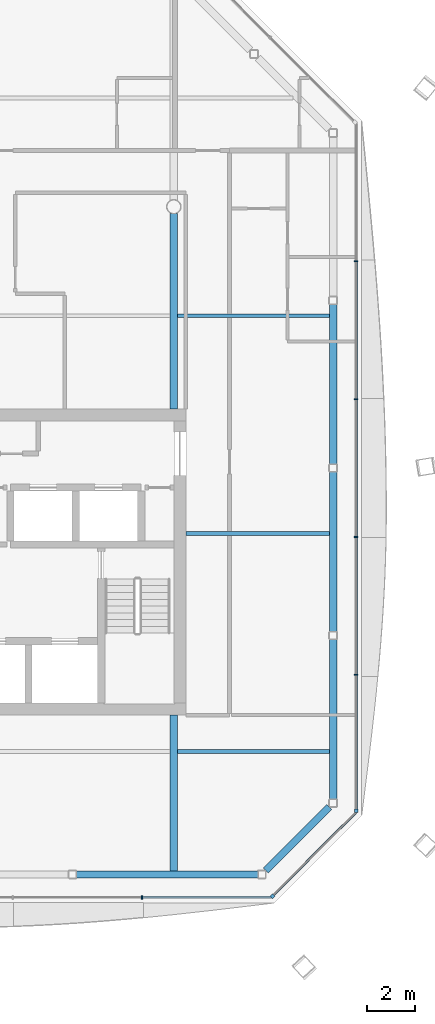
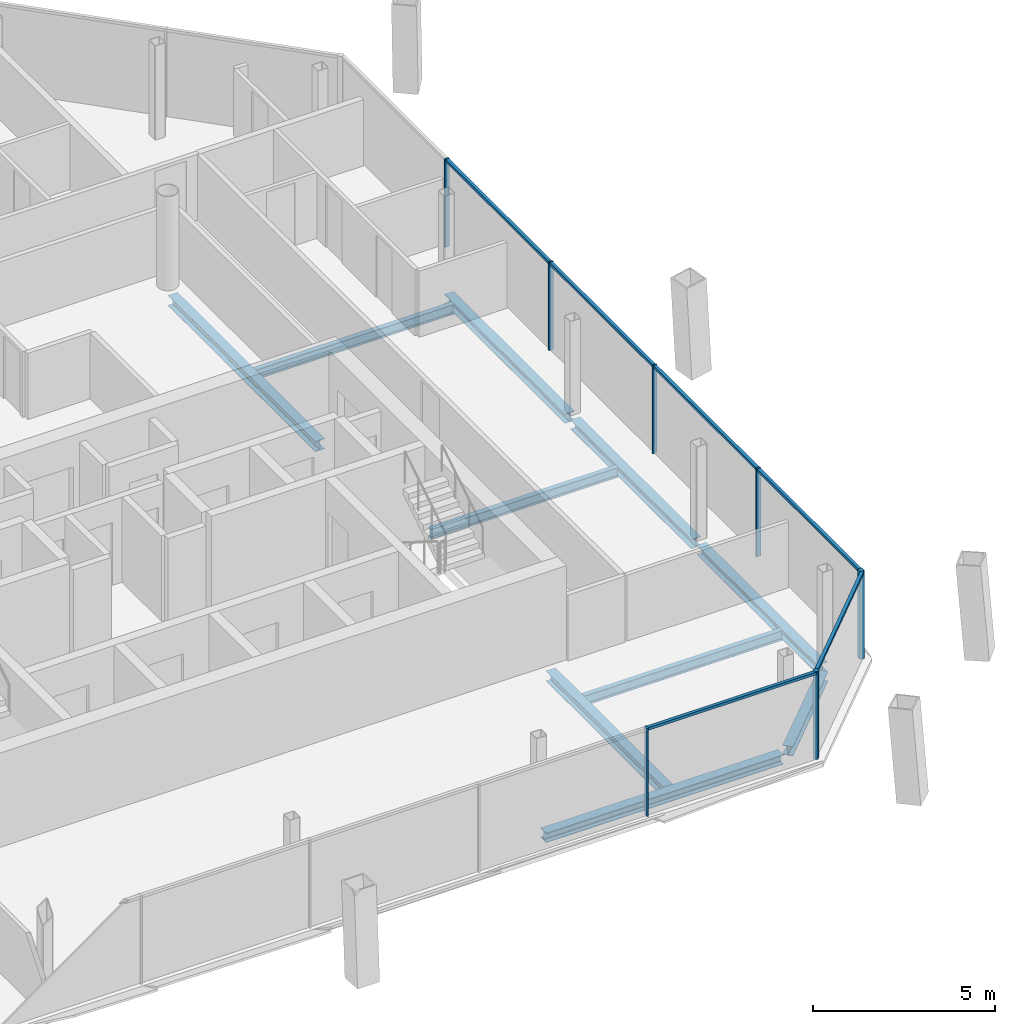
# One storey, part 8 of 19: 13 members, 10 beams, 3 elements without a shape of their own.
"""IFC4 building model written with IfcOpenShell, lengths in metres."""

from ifc_helpers import new_model, si_unit, direction, frame, origin, origin_2d, place, context, subcontext, project, spatial, rectangle, i_section, extrude, material, material_profile, profile_set, type_object, element, aggregate, save


model = new_model("IFC4")

# Units and contexts
model_context = context("Model", 3, precision=1e-05, world=origin(), true_north=direction((0.0, 1.0)))
body_context = subcontext(model_context, "Body", "Model", "MODEL_VIEW")
ifc_project = project(units=[si_unit("LENGTHUNIT", "METRE"), si_unit("AREAUNIT", "SQUARE_METRE"), si_unit("VOLUMEUNIT", "CUBIC_METRE"), si_unit("PLANEANGLEUNIT", "RADIAN"), si_unit("MASSUNIT", "GRAM", prefix="KILO")], contexts=[model_context])

# Site, building, storey
site_placement = place(None, origin())
site = spatial("IfcSite", under=ifc_project, at=site_placement, CompositionType="ELEMENT")
building_placement = place(site_placement, origin())
building = spatial("IfcBuilding", under=site, at=building_placement, Name="Tskaro Facet Tower", CompositionType="ELEMENT")
storey_placement = place(building_placement, frame((0.0, 0.0, 203.699951171875)))
storey = spatial("IfcBuildingStorey", under=building, at=storey_placement, Name="L52", CompositionType="ELEMENT", Elevation=203.699951171875)

# Curtain wall, member
ifc_material_1 = material(Name="Bronze anodised aluminium 6063-T6", Category="aluminium")
curtain_wall_type = type_object("IfcCurtainWallType", Name="Bronze residence curtain wall (FW3)", PredefinedType="NOTDEFINED", material=ifc_material_1)
curtain_wall_1_placement = place(storey_placement, origin())
curtain_wall_1 = element("IfcCurtainWall", 1, at=curtain_wall_1_placement, inside=storey, type_object=curtain_wall_type, Name="FW3 south-east facet L52", PredefinedType="NOTDEFINED")
ifc_material_profile_1 = material_profile(ifc_material_1, rectangle(XDim=0.139892578125, YDim=0.139892578125, at=origin_2d()), Name="Corner post 140x140")
ifc_profile_set_1 = profile_set([ifc_material_profile_1], Name="Bronze anodised aluminium 6063-T6")
member_type_1 = type_object("IfcMemberType", Name="FW3 bronze corner post 140x140", PredefinedType="MULLION", material=ifc_profile_set_1)
member_1_placement = place(storey_placement, frame((13.075439453125, -19.4833984375, 0.0), z_axis=(0.0, 0.0, 1.0), x_axis=(0.707106781187, 0.707106781187, 0.0)))
member_1 = element("IfcMember", 2, at=member_1_placement, type_object=member_type_1, Name="FW3 south-east corner post", PredefinedType="MULLION", context=body_context, shape_type="SweptSolid", body=[
    extrude(rectangle(XDim=0.139892578125, YDim=0.139892578125, at=origin_2d()), origin(), (0.0, 0.0, 1.0), 2.949951171875),
])

curtain_wall_2_placement = place(storey_placement, origin())
curtain_wall_2 = element("IfcCurtainWall", 3, at=curtain_wall_2_placement, inside=storey, type_object=curtain_wall_type, Name="FW3 east facet L52", PredefinedType="NOTDEFINED")
member_2_placement = place(storey_placement, frame((16.532958984375, -15.9560546875, 0.0), z_axis=(0.0, 0.0, 1.0), x_axis=(0.0, 1.0, 0.0)))
member_2 = element("IfcMember", 4, at=member_2_placement, type_object=member_type_1, Name="FW3 east corner post", PredefinedType="MULLION", context=body_context, shape_type="SweptSolid", body=[
    extrude(rectangle(XDim=0.139892578125, YDim=0.139892578125, at=origin_2d()), origin(), (0.0, 0.0, 1.0), 2.949951171875),
])

curtain_wall_3_placement = place(storey_placement, origin())
curtain_wall_3 = element("IfcCurtainWall", 5, at=curtain_wall_3_placement, inside=storey, type_object=curtain_wall_type, Name="FW3 south facet L52", PredefinedType="NOTDEFINED")
ifc_material_profile_2 = material_profile(ifc_material_1, rectangle(XDim=0.050048828125, YDim=0.139892578125, at=origin_2d()), Name="Mullion 50x140")
ifc_profile_set_2 = profile_set([ifc_material_profile_2], Name="Bronze anodised aluminium 6063-T6")
member_type_2 = type_object("IfcMemberType", Name="FW3 bronze mullion 50x140", PredefinedType="MULLION", material=ifc_profile_set_2)
member_3_placement = place(storey_placement, frame((7.68408203125, -19.532958984375, 0.0), z_axis=(0.0, 0.0, 1.0), x_axis=(1.0, 0.0, 0.0)))
member_3 = element("IfcMember", 6, at=member_3_placement, type_object=member_type_2, Name="FW3 south mullion 5", PredefinedType="MULLION", context=body_context, shape_type="SweptSolid", body=[
    extrude(rectangle(XDim=0.050048828125, YDim=0.139892578125, at=origin_2d()), origin(), (0.0, 0.0, 1.0), 2.949951171875),
])

# Member
member_4_placement = place(storey_placement, frame((16.532958984375, -10.3330078125, 0.0), z_axis=(0.0, 0.0, 1.0), x_axis=(0.0, 1.0, 0.0)))
member_4 = element("IfcMember", 7, at=member_4_placement, type_object=member_type_2, Name="FW3 east mullion 1", PredefinedType="MULLION", context=body_context, shape_type="SweptSolid", body=[
    extrude(rectangle(XDim=0.050048828125, YDim=0.139892578125, at=origin_2d()), origin(), (0.0, 0.0, 1.0), 2.949951171875),
])

member_5_placement = place(storey_placement, frame((16.532958984375, -4.639892578125, 0.0), z_axis=(0.0, 0.0, 1.0), x_axis=(0.0, 1.0, 0.0)))
member_5 = element("IfcMember", 8, at=member_5_placement, type_object=member_type_2, Name="FW3 east mullion 2", PredefinedType="MULLION", context=body_context, shape_type="SweptSolid", body=[
    extrude(rectangle(XDim=0.050048828125, YDim=0.139892578125, at=origin_2d()), origin(), (0.0, 0.0, 1.0), 2.949951171875),
])

member_6_placement = place(storey_placement, frame((16.532958984375, 1.052978515625, 0.0), z_axis=(0.0, 0.0, 1.0), x_axis=(0.0, 1.0, 0.0)))
member_6 = element("IfcMember", 9, at=member_6_placement, type_object=member_type_2, Name="FW3 east mullion 3", PredefinedType="MULLION", context=body_context, shape_type="SweptSolid", body=[
    extrude(rectangle(XDim=0.050048828125, YDim=0.139892578125, at=origin_2d()), origin(), (0.0, 0.0, 1.0), 2.949951171875),
])

member_7_placement = place(storey_placement, frame((16.532958984375, 6.74609375, 0.0), z_axis=(0.0, 0.0, 1.0), x_axis=(0.0, 1.0, 0.0)))
member_7 = element("IfcMember", 10, at=member_7_placement, type_object=member_type_2, Name="FW3 east mullion 4", PredefinedType="MULLION", context=body_context, shape_type="SweptSolid", body=[
    extrude(rectangle(XDim=0.050048828125, YDim=0.139892578125, at=origin_2d()), origin(), (0.0, 0.0, 1.0), 2.949951171875),
])

ifc_material_profile_3 = material_profile(ifc_material_1, rectangle(XDim=0.10009765625, YDim=0.090087890625, at=origin_2d()), Name="Transom 100x90")
ifc_profile_set_3 = profile_set([ifc_material_profile_3], Name="Bronze anodised aluminium 6063-T6")
member_type_3 = type_object("IfcMemberType", Name="FW3 bronze transom 100x90", PredefinedType="USERDEFINED", material=ifc_profile_set_3)
member_8_placement = place(storey_placement, frame((7.708984375, -19.532958984375, 2.905029296875), z_axis=(1.0, 0.0, 0.0), x_axis=(0.0, 1.0, 0.0)))
member_8 = element("IfcMember", 11, at=member_8_placement, type_object=member_type_3, Name="FW3 south transom 6.1", ObjectType="TRANSOM", PredefinedType="USERDEFINED", context=body_context, shape_type="SweptSolid", body=[
    extrude(rectangle(XDim=0.10009765625, YDim=0.090087890625, at=origin_2d()), origin(), (0.0, 0.0, 1.0), 5.31689453125),
])

aggregate(curtain_wall_3, [member_3, member_8])

member_9_placement = place(storey_placement, frame((13.125, -19.43408203125, 2.905029296875), z_axis=(0.707081453652, 0.707132107814, 0.0), x_axis=(-0.707132107814, 0.707081453652, 0.0)))
member_9 = element("IfcMember", 12, at=member_9_placement, type_object=member_type_3, Name="FW3 south-east transom 1.1", ObjectType="TRANSOM", PredefinedType="USERDEFINED", context=body_context, shape_type="SweptSolid", body=[
    extrude(rectangle(XDim=0.10009765625, YDim=0.090087890625, at=origin_2d()), origin(), (0.0, 0.0, 1.0), 4.81982421875),
])

aggregate(curtain_wall_1, [member_1, member_9])

member_10_placement = place(storey_placement, frame((16.532958984375, -15.885986328125, 2.905029296875), z_axis=(0.0, 1.0, 0.0), x_axis=(-1.0, 0.0, 0.0)))
member_10 = element("IfcMember", 13, at=member_10_placement, type_object=member_type_3, Name="FW3 east transom 1.1", ObjectType="TRANSOM", PredefinedType="USERDEFINED", context=body_context, shape_type="SweptSolid", body=[
    extrude(rectangle(XDim=0.10009765625, YDim=0.090087890625, at=origin_2d()), origin(), (0.0, 0.0, 1.0), 5.528076171875),
])

member_11_placement = place(storey_placement, frame((16.532958984375, -10.30810546875, 2.905029296875), z_axis=(0.0, 1.0, 0.0), x_axis=(-1.0, 0.0, 0.0)))
member_11 = element("IfcMember", 14, at=member_11_placement, type_object=member_type_3, Name="FW3 east transom 2.1", ObjectType="TRANSOM", PredefinedType="USERDEFINED", context=body_context, shape_type="SweptSolid", body=[
    extrude(rectangle(XDim=0.10009765625, YDim=0.090087890625, at=origin_2d()), origin(), (0.0, 0.0, 1.0), 5.64306640625),
])

member_12_placement = place(storey_placement, frame((16.532958984375, -4.614990234375, 2.905029296875), z_axis=(0.0, 1.0, 0.0), x_axis=(-1.0, 0.0, 0.0)))
member_12 = element("IfcMember", 15, at=member_12_placement, type_object=member_type_3, Name="FW3 east transom 3.1", ObjectType="TRANSOM", PredefinedType="USERDEFINED", context=body_context, shape_type="SweptSolid", body=[
    extrude(rectangle(XDim=0.10009765625, YDim=0.090087890625, at=origin_2d()), origin(), (0.0, 0.0, 1.0), 5.64306640625),
])

member_13_placement = place(storey_placement, frame((16.532958984375, 1.077880859375, 2.905029296875), z_axis=(0.0, 1.0, 0.0), x_axis=(-1.0, 0.0, 0.0)))
member_13 = element("IfcMember", 16, at=member_13_placement, type_object=member_type_3, Name="FW3 east transom 4.1", ObjectType="TRANSOM", PredefinedType="USERDEFINED", context=body_context, shape_type="SweptSolid", body=[
    extrude(rectangle(XDim=0.10009765625, YDim=0.090087890625, at=origin_2d()), origin(), (0.0, 0.0, 1.0), 5.64306640625),
])

aggregate(curtain_wall_2, [member_2, member_4, member_5, member_6, member_7, member_10, member_11, member_12, member_13])

# Beams
ifc_material_2 = material(Name="Steel S355J2", Category="steel")
ifc_material_profile_4 = material_profile(ifc_material_2, i_section(OverallWidth=0.300048828125, OverallDepth=0.320068359375, WebThickness=0.011474609375, FlangeThickness=0.0205078125, FilletRadius=0.027099609375, at=origin_2d()), Name="HE 320 B")
ifc_profile_set_4 = profile_set([ifc_material_profile_4], Name="Steel S355J2")
beam_type_1 = type_object("IfcBeamType", Name="HE 320 B ring beam", PredefinedType="BEAM", material=ifc_profile_set_4)
beam_1_placement = place(storey_placement, frame((4.971923828125, -18.5830078125, -0.300048828125), z_axis=(1.0, 0.0, 0.0), x_axis=(0.0, 1.0, 0.0)))
element("IfcBeam", 17, at=beam_1_placement, inside=storey, type_object=beam_type_1, Name="HE 320 B EB4-4", PredefinedType="BEAM", context=body_context, shape_type="SweptSolid", body=[
    extrude(i_section(OverallWidth=0.300048828125, OverallDepth=0.320068359375, WebThickness=0.011474609375, FlangeThickness=0.0205078125, FilletRadius=0.027099609375, at=origin_2d()), origin(), (0.0, 0.0, 1.0), 7.506103515625),
])
beam_2_placement = place(storey_placement, frame((12.7939453125, -18.422119140625, -0.300048828125), z_axis=(0.707106781187, 0.707106781187, 0.0), x_axis=(-0.707106781187, 0.707106781187, 0.0)))
element("IfcBeam", 18, at=beam_2_placement, inside=storey, type_object=beam_type_1, Name="HE 320 B EB5-4", PredefinedType="BEAM", context=body_context, shape_type="SweptSolid", body=[
    extrude(i_section(OverallWidth=0.300048828125, OverallDepth=0.320068359375, WebThickness=0.011474609375, FlangeThickness=0.0205078125, FilletRadius=0.027099609375, at=origin_2d()), origin(), (0.0, 0.0, 1.0), 3.716796875),
])
for number, where, z_axis, x_axis, name in (
    (19, (15.5830078125, -15.47802734375, -0.300048828125), (0.0, 1.0, 0.0), (-1.0, 0.0, 0.0), "HE 320 B EB6-4"),
    (20, (15.5830078125, -8.55810546875, -0.300048828125), (0.0, 1.0, 0.0), (-1.0, 0.0, 0.0), "HE 320 B EB7-4"),
):
    element("IfcBeam", number, at=place(storey_placement, frame(where, z_axis=z_axis, x_axis=x_axis)), inside=storey, type_object=beam_type_1, Name=name, PredefinedType="BEAM", context=body_context, shape_type="SweptSolid", body=[
        extrude(i_section(OverallWidth=0.300048828125, OverallDepth=0.320068359375, WebThickness=0.011474609375, FlangeThickness=0.0205078125, FilletRadius=0.027099609375, at=origin_2d()), origin(), (0.0, 0.0, 1.0), 6.610107421875),
    ])
beam_3_placement = place(storey_placement, frame((15.5830078125, -1.637939453125, -0.300048828125), z_axis=(0.0, 1.0, 0.0), x_axis=(-1.0, 0.0, 0.0)))
element("IfcBeam", 21, at=beam_3_placement, inside=storey, type_object=beam_type_1, Name="HE 320 B EB8-4", PredefinedType="BEAM", context=body_context, shape_type="SweptSolid", body=[
    extrude(i_section(OverallWidth=0.300048828125, OverallDepth=0.320068359375, WebThickness=0.011474609375, FlangeThickness=0.0205078125, FilletRadius=0.027099609375, at=origin_2d()), origin(), (0.0, 0.0, 1.0), 6.60888671875),
])
ifc_material_profile_5 = material_profile(ifc_material_2, i_section(OverallWidth=0.300048828125, OverallDepth=0.35009765625, WebThickness=0.010009765625, FlangeThickness=0.017578125, FilletRadius=0.027099609375, at=origin_2d()), Name="HE 360 A")
ifc_profile_set_5 = profile_set([ifc_material_profile_5], Name="Steel S355J2")
beam_type_2 = type_object("IfcBeamType", Name="HE 360 A girder", PredefinedType="BEAM", material=ifc_profile_set_5)
beam_4_placement = place(storey_placement, frame((9.0, -18.43310546875, -0.31494140625), z_axis=(0.0, 1.0, 0.0), x_axis=(-1.0, 0.0, 0.0)))
element("IfcBeam", 22, at=beam_4_placement, inside=storey, type_object=beam_type_2, Name="HE 360 A GB5-1-4", PredefinedType="BEAM", context=body_context, shape_type="SweptSolid", body=[
    extrude(i_section(OverallWidth=0.300048828125, OverallDepth=0.35009765625, WebThickness=0.010009765625, FlangeThickness=0.017578125, FilletRadius=0.027099609375, at=origin_2d()), origin(), (0.0, 0.0, 1.0), 6.43310546875),
])
beam_5_placement = place(storey_placement, frame((9.0, 0.64990234375, -0.31494140625), z_axis=(0.0, 1.0, 0.0), x_axis=(-1.0, 0.0, 0.0)))
element("IfcBeam", 23, at=beam_5_placement, inside=storey, type_object=beam_type_2, Name="HE 360 A GB5-2-4", PredefinedType="BEAM", context=body_context, shape_type="SweptSolid", body=[
    extrude(i_section(OverallWidth=0.300048828125, OverallDepth=0.35009765625, WebThickness=0.010009765625, FlangeThickness=0.017578125, FilletRadius=0.027099609375, at=origin_2d()), origin(), (0.0, 0.0, 1.0), 8.0751953125),
])
ifc_material_profile_6 = material_profile(ifc_material_2, i_section(OverallWidth=0.159912109375, OverallDepth=0.330078125, WebThickness=0.007568359375, FlangeThickness=0.011474609375, FilletRadius=0.01806640625, at=origin_2d()), Name="IPE 330")
ifc_profile_set_6 = profile_set([ifc_material_profile_6], Name="Steel S355J2")
beam_type_3 = type_object("IfcBeamType", Name="IPE 330 secondary beam", PredefinedType="BEAM", material=ifc_profile_set_6)
beam_6_placement = place(storey_placement, frame((9.14990234375, -13.5, -0.304931640625), z_axis=(1.0, 0.0, 0.0), x_axis=(0.0, 1.0, 0.0)))
element("IfcBeam", 24, at=beam_6_placement, inside=storey, type_object=beam_type_3, Name="IPE 330 SB2a-5-4", PredefinedType="BEAM", context=body_context, shape_type="SweptSolid", body=[
    extrude(i_section(OverallWidth=0.159912109375, OverallDepth=0.330078125, WebThickness=0.007568359375, FlangeThickness=0.011474609375, FilletRadius=0.01806640625, at=origin_2d()), origin(), (0.0, 0.0, 1.0), 6.283203125),
])
beam_7_placement = place(storey_placement, frame((9.5, -4.5, -0.304931640625), z_axis=(1.0, 0.0, 0.0), x_axis=(0.0, 1.0, 0.0)))
element("IfcBeam", 25, at=beam_7_placement, inside=storey, type_object=beam_type_3, Name="IPE 330 SB3a-3-4", PredefinedType="BEAM", context=body_context, shape_type="SweptSolid", body=[
    extrude(i_section(OverallWidth=0.159912109375, OverallDepth=0.330078125, WebThickness=0.007568359375, FlangeThickness=0.011474609375, FilletRadius=0.01806640625, at=origin_2d()), origin(), (0.0, 0.0, 1.0), 5.93310546875),
])
beam_8_placement = place(storey_placement, frame((9.14990234375, 4.5, -0.304931640625), z_axis=(1.0, 0.0, 0.0), x_axis=(0.0, 1.0, 0.0)))
element("IfcBeam", 26, at=beam_8_placement, inside=storey, type_object=beam_type_3, Name="IPE 330 SB4a-5-4", PredefinedType="BEAM", context=body_context, shape_type="SweptSolid", body=[
    extrude(i_section(OverallWidth=0.159912109375, OverallDepth=0.330078125, WebThickness=0.007568359375, FlangeThickness=0.011474609375, FilletRadius=0.01806640625, at=origin_2d()), origin(), (0.0, 0.0, 1.0), 6.283203125),
])

save(model, "model.ifc")
